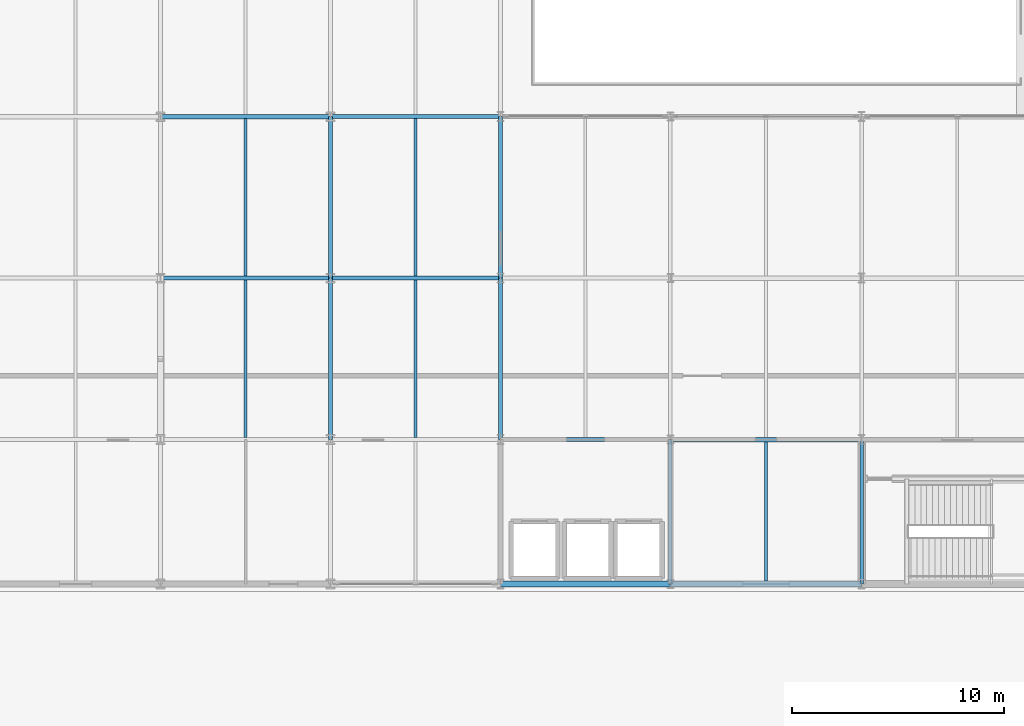
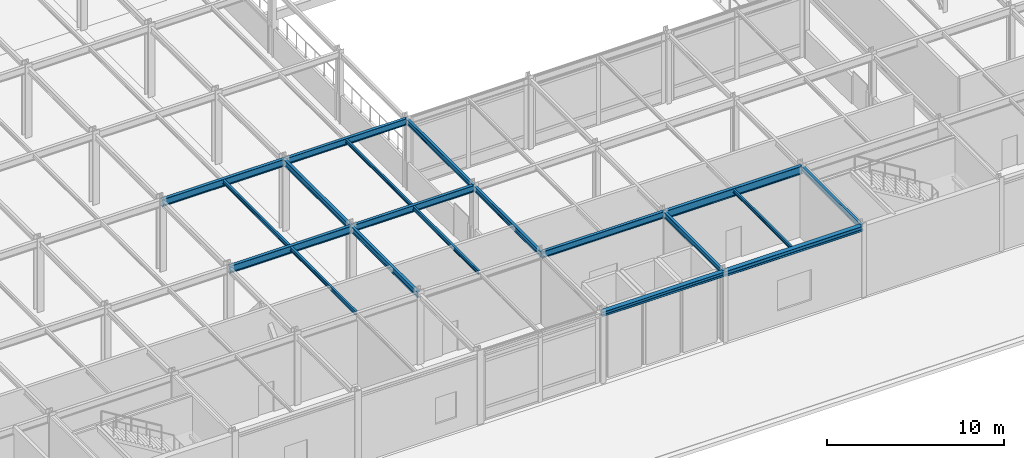
# One storey, part 27 of 113: 19 beams.
"""IFC4 building model written with IfcOpenShell, lengths in metres."""

from ifc_helpers import new_model, si_unit, direction, frame, origin, origin_2d, place, context, subcontext, project, spatial, i_section, extrude, material, material_profile, profile_set, type_object, element, save


model = new_model("IFC4")

# Units and contexts
model_context = context("Model", 3, precision=1e-05, world=origin(), true_north=direction((0.0, 1.0)))
body_context = subcontext(model_context, "Body", "Model", "MODEL_VIEW")
ifc_project = project(units=[si_unit("LENGTHUNIT", "METRE"), si_unit("AREAUNIT", "SQUARE_METRE"), si_unit("VOLUMEUNIT", "CUBIC_METRE"), si_unit("PLANEANGLEUNIT", "RADIAN"), si_unit("MASSUNIT", "GRAM", prefix="KILO")], contexts=[model_context])

# Site, building, storey
site_placement = place(None, origin())
site = spatial("IfcSite", under=ifc_project, at=site_placement, CompositionType="ELEMENT")
building_placement = place(site_placement, origin())
building = spatial("IfcBuilding", under=site, at=building_placement, Name="Shalkamar Park Central Library", CompositionType="ELEMENT")
storey_placement = place(building_placement, frame((0.0, 0.0, 5.39990234375)))
storey = spatial("IfcBuildingStorey", under=building, at=storey_placement, Name="L02", CompositionType="ELEMENT", Elevation=5.39990234375)

# Beams
ifc_material = material(Name="Steel S355", Category="steel")
ifc_material_profile_1 = material_profile(ifc_material, i_section(OverallWidth=0.1201171875, OverallDepth=0.239990234375, WebThickness=0.006103515625, FlangeThickness=0.009765625, FilletRadius=0.014892578125, at=origin_2d()), Name="IPE 240")
ifc_profile_set_1 = profile_set([ifc_material_profile_1], Name="Steel S355")
beam_type_1 = type_object("IfcBeamType", Name="Composite Floor Joist IPE240", PredefinedType="JOIST", material=ifc_profile_set_1)
beam_1_placement = place(storey_placement, frame((225.0, 262.89306640625, 4.739990234375), z_axis=(0.0, 1.0, 0.0), x_axis=(-1.0, 0.0, 0.0)))
element("IfcBeam", 1, at=beam_1_placement, inside=storey, type_object=beam_type_1, Name="Composite Joist 14/D-1 (L02)", PredefinedType="JOIST", context=body_context, shape_type="SweptSolid", body=[
    extrude(i_section(OverallWidth=0.1201171875, OverallDepth=0.239990234375, WebThickness=0.006103515625, FlangeThickness=0.009765625, FilletRadius=0.014892578125, at=origin_2d()), origin(), (0.0, 0.0, 1.0), 7.413818359375),
])
beam_2_placement = place(storey_placement, frame((241.5, 248.548095703125, 4.739990234375), z_axis=(0.0, 1.0, 0.0), x_axis=(-1.0, 0.0, 0.0)))
element("IfcBeam", 2, at=beam_2_placement, inside=storey, type_object=beam_type_1, Name="Composite Joist 16/B-1 (L02)", PredefinedType="JOIST", context=body_context, shape_type="SweptSolid", body=[
    extrude(i_section(OverallWidth=0.1201171875, OverallDepth=0.239990234375, WebThickness=0.006103515625, FlangeThickness=0.009765625, FilletRadius=0.014892578125, at=origin_2d()), origin(), (0.0, 0.0, 1.0), 6.548828125),
])
ifc_material_profile_2 = material_profile(ifc_material, i_section(OverallWidth=0.135009765625, OverallDepth=0.27001953125, WebThickness=0.006591796875, FlangeThickness=0.01025390625, FilletRadius=0.014892578125, at=origin_2d()), Name="IPE 270")
ifc_profile_set_2 = profile_set([ifc_material_profile_2], Name="Steel S355")
beam_type_2 = type_object("IfcBeamType", Name="Composite Floor Joist IPE270", PredefinedType="JOIST", material=ifc_profile_set_2)
beam_3_placement = place(storey_placement, frame((217.0, 255.298095703125, 4.72509765625), z_axis=(0.0, 1.0, 0.0), x_axis=(-1.0, 0.0, 0.0)))
element("IfcBeam", 3, at=beam_3_placement, inside=storey, type_object=beam_type_2, Name="Composite Joist 13/C-1 (L02)", PredefinedType="JOIST", context=body_context, shape_type="SweptSolid", body=[
    extrude(i_section(OverallWidth=0.135009765625, OverallDepth=0.27001953125, WebThickness=0.006591796875, FlangeThickness=0.01025390625, FilletRadius=0.014892578125, at=origin_2d()), origin(), (0.0, 0.0, 1.0), 7.40380859375),
])
beam_4_placement = place(storey_placement, frame((217.0, 262.89794921875, 4.72509765625), z_axis=(0.0, 1.0, 0.0), x_axis=(-1.0, 0.0, 0.0)))
element("IfcBeam", 4, at=beam_4_placement, inside=storey, type_object=beam_type_2, Name="Composite Joist 13/D-1 (L02)", PredefinedType="JOIST", context=body_context, shape_type="SweptSolid", body=[
    extrude(i_section(OverallWidth=0.135009765625, OverallDepth=0.27001953125, WebThickness=0.006591796875, FlangeThickness=0.01025390625, FilletRadius=0.014892578125, at=origin_2d()), origin(), (0.0, 0.0, 1.0), 7.404052734375),
])
beam_5_placement = place(storey_placement, frame((225.0, 255.29296875, 4.72509765625), z_axis=(0.0, 1.0, 0.0), x_axis=(-1.0, 0.0, 0.0)))
element("IfcBeam", 5, at=beam_5_placement, inside=storey, type_object=beam_type_2, Name="Composite Joist 14/C-1 (L02)", PredefinedType="JOIST", context=body_context, shape_type="SweptSolid", body=[
    extrude(i_section(OverallWidth=0.135009765625, OverallDepth=0.27001953125, WebThickness=0.006591796875, FlangeThickness=0.01025390625, FilletRadius=0.014892578125, at=origin_2d()), origin(), (0.0, 0.0, 1.0), 7.4140625),
])
ifc_material_profile_3 = material_profile(ifc_material, i_section(OverallWidth=0.300048828125, OverallDepth=0.31005859375, WebThickness=0.009033203125, FlangeThickness=0.015380859375, FilletRadius=0.027099609375, at=origin_2d()), Name="HEA 320")
ifc_profile_set_3 = profile_set([ifc_material_profile_3], Name="Steel S355")
beam_type_3 = type_object("IfcBeamType", Name="Perimeter Spandrel Beam HEA320", PredefinedType="SPANDREL", material=ifc_profile_set_3)
beam_6_placement = place(storey_placement, frame((229.0, 248.39990234375, 4.705078125), z_axis=(1.0, 0.0, 0.0), x_axis=(0.0, 1.0, 0.0)))
element("IfcBeam", 6, at=beam_6_placement, inside=storey, type_object=beam_type_3, Name="Beam B:15-16 (L02)", PredefinedType="SPANDREL", context=body_context, shape_type="SweptSolid", body=[
    extrude(i_section(OverallWidth=0.300048828125, OverallDepth=0.31005859375, WebThickness=0.009033203125, FlangeThickness=0.015380859375, FilletRadius=0.027099609375, at=origin_2d()), origin(), (0.0, 0.0, 1.0), 8.0),
])
ifc_material_profile_4 = material_profile(ifc_material, i_section(OverallWidth=0.300048828125, OverallDepth=0.35009765625, WebThickness=0.010009765625, FlangeThickness=0.017578125, FilletRadius=0.027099609375, at=origin_2d()), Name="HEA 360")
ifc_profile_set_4 = profile_set([ifc_material_profile_4], Name="Steel S355")
beam_type_4 = type_object("IfcBeamType", Name="Perimeter Spandrel Beam HEA360", PredefinedType="SPANDREL", material=ifc_profile_set_4)
beam_7_placement = place(storey_placement, frame((237.0, 248.39990234375, 4.68505859375), z_axis=(1.0, 0.0, 0.0), x_axis=(0.0, 1.0, 0.0)))
element("IfcBeam", 7, at=beam_7_placement, inside=storey, type_object=beam_type_4, Name="Beam B:16-17 (L02)", PredefinedType="SPANDREL", context=body_context, shape_type="SweptSolid", body=[
    extrude(i_section(OverallWidth=0.300048828125, OverallDepth=0.35009765625, WebThickness=0.010009765625, FlangeThickness=0.017578125, FilletRadius=0.027099609375, at=origin_2d()), origin(), (0.0, 0.0, 1.0), 9.0),
])
ifc_material_profile_5 = material_profile(ifc_material, i_section(OverallWidth=0.169921875, OverallDepth=0.360107421875, WebThickness=0.008056640625, FlangeThickness=0.0126953125, FilletRadius=0.01806640625, at=origin_2d()), Name="IPE 360")
ifc_profile_set_5 = profile_set([ifc_material_profile_5], Name="Steel S355")
beam_type_5 = type_object("IfcBeamType", Name="Primary Girder IPE360", PredefinedType="BEAM", material=ifc_profile_set_5)
beam_8_placement = place(storey_placement, frame((229.0, 255.199951171875, 4.68017578125), z_axis=(0.0, 1.0, 0.0), x_axis=(-1.0, 0.0, 0.0)))
element("IfcBeam", 8, at=beam_8_placement, inside=storey, type_object=beam_type_5, Name="Beam 15:C-D (L02)", PredefinedType="BEAM", context=body_context, shape_type="SweptSolid", body=[
    extrude(i_section(OverallWidth=0.169921875, OverallDepth=0.360107421875, WebThickness=0.008056640625, FlangeThickness=0.0126953125, FilletRadius=0.01806640625, at=origin_2d()), origin(), (0.0, 0.0, 1.0), 7.60009765625),
])
beam_9_placement = place(storey_placement, frame((229.0, 262.800048828125, 4.68017578125), z_axis=(0.0, 1.0, 0.0), x_axis=(-1.0, 0.0, 0.0)))
element("IfcBeam", 9, at=beam_9_placement, inside=storey, type_object=beam_type_5, Name="Beam 15:D-E (L02)", PredefinedType="BEAM", context=body_context, shape_type="SweptSolid", body=[
    extrude(i_section(OverallWidth=0.169921875, OverallDepth=0.360107421875, WebThickness=0.008056640625, FlangeThickness=0.0126953125, FilletRadius=0.01806640625, at=origin_2d()), origin(), (0.0, 0.0, 1.0), 7.599853515625),
])
for number, where, z_axis, x_axis, name in (
    (10, (237.0, 248.39990234375, 4.68017578125), (0.0, 1.0, 0.0), (-1.0, 0.0, 0.0), "Beam 16:B-C (L02)"),
    (11, (246.0, 248.39990234375, 4.68017578125), (0.0, 1.0, 0.0), (-1.0, 0.0, 0.0), "Beam 17:B-C (L02)"),
):
    element("IfcBeam", number, at=place(storey_placement, frame(where, z_axis=z_axis, x_axis=x_axis)), inside=storey, type_object=beam_type_5, Name=name, PredefinedType="BEAM", context=body_context, shape_type="SweptSolid", body=[
        extrude(i_section(OverallWidth=0.169921875, OverallDepth=0.360107421875, WebThickness=0.008056640625, FlangeThickness=0.0126953125, FilletRadius=0.01806640625, at=origin_2d()), origin(), (0.0, 0.0, 1.0), 6.800048828125),
    ])
ifc_material_profile_6 = material_profile(ifc_material, i_section(OverallWidth=0.179931640625, OverallDepth=0.39990234375, WebThickness=0.008544921875, FlangeThickness=0.013427734375, FilletRadius=0.02099609375, at=origin_2d()), Name="IPE 400")
ifc_profile_set_6 = profile_set([ifc_material_profile_6], Name="Steel S355")
beam_type_6 = type_object("IfcBeamType", Name="Primary Girder IPE400", PredefinedType="BEAM", material=ifc_profile_set_6)
beam_10_placement = place(storey_placement, frame((221.0, 255.199951171875, 4.66015625), z_axis=(0.0, 1.0, 0.0), x_axis=(-1.0, 0.0, 0.0)))
element("IfcBeam", 12, at=beam_10_placement, inside=storey, type_object=beam_type_6, Name="Beam 14:C-D (L02)", PredefinedType="BEAM", context=body_context, shape_type="SweptSolid", body=[
    extrude(i_section(OverallWidth=0.179931640625, OverallDepth=0.39990234375, WebThickness=0.008544921875, FlangeThickness=0.013427734375, FilletRadius=0.02099609375, at=origin_2d()), origin(), (0.0, 0.0, 1.0), 7.60009765625),
])
beam_11_placement = place(storey_placement, frame((221.0, 262.800048828125, 4.66015625), z_axis=(0.0, 1.0, 0.0), x_axis=(-1.0, 0.0, 0.0)))
element("IfcBeam", 13, at=beam_11_placement, inside=storey, type_object=beam_type_6, Name="Beam 14:D-E (L02)", PredefinedType="BEAM", context=body_context, shape_type="SweptSolid", body=[
    extrude(i_section(OverallWidth=0.179931640625, OverallDepth=0.39990234375, WebThickness=0.008544921875, FlangeThickness=0.013427734375, FilletRadius=0.02099609375, at=origin_2d()), origin(), (0.0, 0.0, 1.0), 7.599853515625),
])
ifc_material_profile_7 = material_profile(ifc_material, i_section(OverallWidth=0.18994140625, OverallDepth=0.449951171875, WebThickness=0.009521484375, FlangeThickness=0.0146484375, FilletRadius=0.02099609375, at=origin_2d()), Name="IPE 450")
ifc_profile_set_7 = profile_set([ifc_material_profile_7], Name="Steel S355")
beam_type_7 = type_object("IfcBeamType", Name="Primary Girder IPE450", PredefinedType="BEAM", material=ifc_profile_set_7)
for number, where, z_axis, x_axis, name in (
    (14, (229.0, 255.199951171875, 4.635009765625), (1.0, 0.0, 0.0), (0.0, 1.0, 0.0), "Beam C:15-16 (L02)"),
    (15, (221.0, 262.800048828125, 4.635009765625), (1.0, 0.0, 0.0), (0.0, 1.0, 0.0), "Beam D:14-15 (L02)"),
    (16, (221.0, 270.39990234375, 4.635009765625), (1.0, 0.0, 0.0), (0.0, 1.0, 0.0), "Beam E:14-15 (L02)"),
):
    element("IfcBeam", number, at=place(storey_placement, frame(where, z_axis=z_axis, x_axis=x_axis)), inside=storey, type_object=beam_type_7, Name=name, PredefinedType="BEAM", context=body_context, shape_type="SweptSolid", body=[
        extrude(i_section(OverallWidth=0.18994140625, OverallDepth=0.449951171875, WebThickness=0.009521484375, FlangeThickness=0.0146484375, FilletRadius=0.02099609375, at=origin_2d()), origin(), (0.0, 0.0, 1.0), 8.0),
    ])
ifc_material_profile_8 = material_profile(ifc_material, i_section(OverallWidth=0.199951171875, OverallDepth=0.5, WebThickness=0.01025390625, FlangeThickness=0.01611328125, FilletRadius=0.02099609375, at=origin_2d()), Name="IPE 500")
ifc_profile_set_8 = profile_set([ifc_material_profile_8], Name="Steel S355")
beam_type_8 = type_object("IfcBeamType", Name="Primary Girder IPE500", PredefinedType="BEAM", material=ifc_profile_set_8)
for number, where, z_axis, x_axis, name in (
    (17, (213.0, 262.800048828125, 4.610107421875), (1.0, 0.0, 0.0), (0.0, 1.0, 0.0), "Beam D:13-14 (L02)"),
    (18, (213.0, 270.39990234375, 4.610107421875), (1.0, 0.0, 0.0), (0.0, 1.0, 0.0), "Beam E:13-14 (L02)"),
):
    element("IfcBeam", number, at=place(storey_placement, frame(where, z_axis=z_axis, x_axis=x_axis)), inside=storey, type_object=beam_type_8, Name=name, PredefinedType="BEAM", context=body_context, shape_type="SweptSolid", body=[
        extrude(i_section(OverallWidth=0.199951171875, OverallDepth=0.5, WebThickness=0.01025390625, FlangeThickness=0.01611328125, FilletRadius=0.02099609375, at=origin_2d()), origin(), (0.0, 0.0, 1.0), 8.0),
    ])
ifc_material_profile_9 = material_profile(ifc_material, i_section(OverallWidth=0.2099609375, OverallDepth=0.550048828125, WebThickness=0.010986328125, FlangeThickness=0.01708984375, FilletRadius=0.02392578125, at=origin_2d()), Name="IPE 550")
ifc_profile_set_9 = profile_set([ifc_material_profile_9], Name="Steel S355")
beam_type_9 = type_object("IfcBeamType", Name="Primary Girder IPE550", PredefinedType="BEAM", material=ifc_profile_set_9)
beam_12_placement = place(storey_placement, frame((237.0, 255.199951171875, 4.585205078125), z_axis=(1.0, 0.0, 0.0), x_axis=(0.0, 1.0, 0.0)))
element("IfcBeam", 19, at=beam_12_placement, inside=storey, type_object=beam_type_9, Name="Beam C:16-17 (L02)", PredefinedType="BEAM", context=body_context, shape_type="SweptSolid", body=[
    extrude(i_section(OverallWidth=0.2099609375, OverallDepth=0.550048828125, WebThickness=0.010986328125, FlangeThickness=0.01708984375, FilletRadius=0.02392578125, at=origin_2d()), origin(), (0.0, 0.0, 1.0), 9.0),
])

save(model, "model.ifc")
